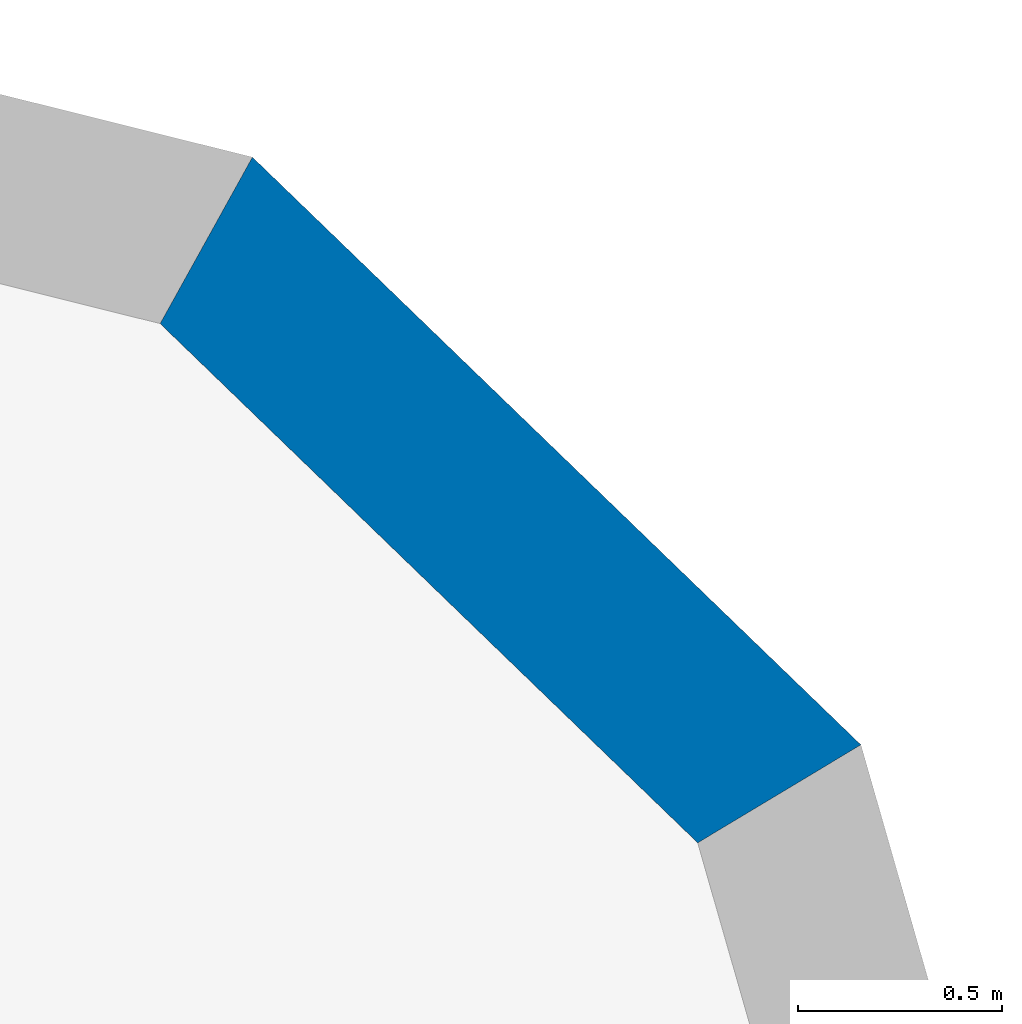
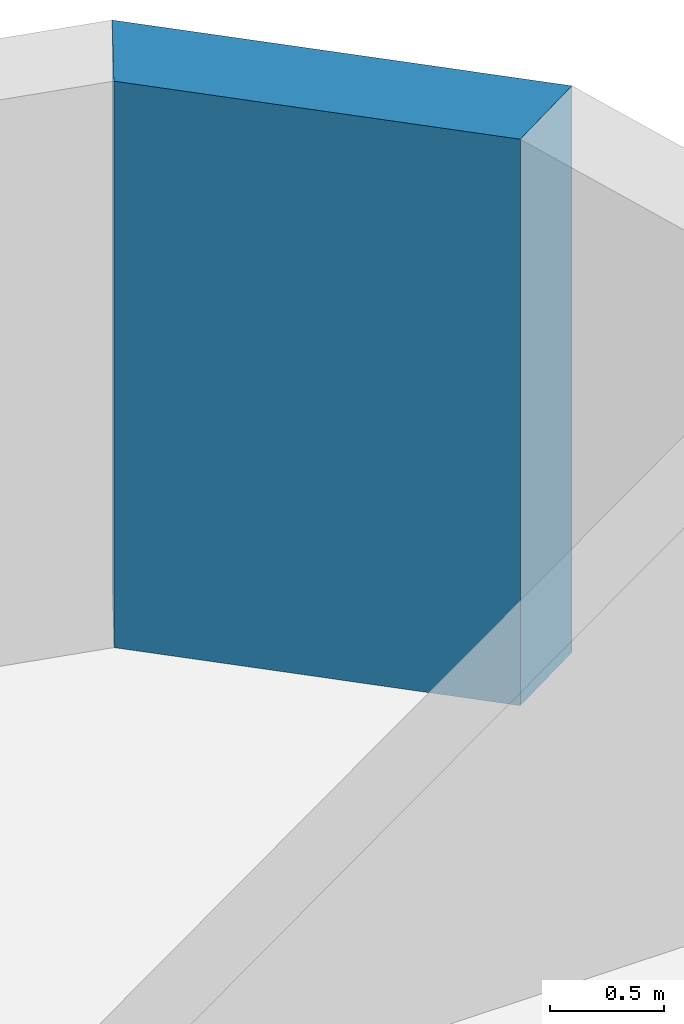
# One storey, part 8 of 12: 1 wall.
"""IFC4 building model written with IfcOpenShell, lengths in metres."""

from ifc_helpers import new_model, si_unit, direction, frame, origin, place, context, subcontext, project, spatial, polyline, outline, extrude, material, layer, layer_set, type_object, element, save


model = new_model("IFC4")

# Units and contexts
model_context = context("Model", 3, precision=1e-05, world=origin(), true_north=direction((0.0, 1.0)))
body_context = subcontext(model_context, "Body", "Model", "MODEL_VIEW")
ifc_project = project(units=[si_unit("LENGTHUNIT", "METRE"), si_unit("AREAUNIT", "SQUARE_METRE"), si_unit("VOLUMEUNIT", "CUBIC_METRE"), si_unit("PLANEANGLEUNIT", "RADIAN"), si_unit("MASSUNIT", "GRAM", prefix="KILO")], contexts=[model_context])

# Site, building, storey
site_placement = place(None, origin())
site = spatial("IfcSite", under=ifc_project, at=site_placement, CompositionType="ELEMENT")
building_placement = place(site_placement, origin())
building = spatial("IfcBuilding", under=site, at=building_placement, Name="Kajstack Hotel Tower", CompositionType="ELEMENT")
storey_placement = place(building_placement, frame((0.0, 0.0, 234.199951171875)))
storey = spatial("IfcBuildingStorey", under=building, at=storey_placement, Name="L57", CompositionType="ELEMENT", Elevation=234.199951171875)

# Wall
ifc_material = material(Name="Terracotta-faced brick masonry", Category="masonry")
ifc_layer = layer(ifc_material, 0.449951171875)
ifc_layer_set = layer_set([ifc_layer], Name="EW-TERRA")
wall_type = type_object("IfcWallType", Name="EW-TERRA", PredefinedType="SOLIDWALL", material=ifc_layer_set)
wall_placement = place(storey_placement, frame((41.97900390625, 19.72412109375, 0.0), z_axis=(0.0, 0.0, 1.0), x_axis=(-0.719379111448, 0.694617660308, 0.0)))
element("IfcWall", 1, at=wall_placement, inside=storey, type_object=wall_type, Name="E-wall-L57-10-00", PredefinedType="SOLIDWALL", context=body_context, shape_type="SweptSolid", body=[
    extrude(outline(polyline([(0.0, -0.224853515625), (2.070556640625, -0.22509765625), (1.949951171875, 0.224853515625), (0.12060546875, 0.22509765625), (0.0, -0.224853515625)])), origin(), (0.0, 0.0, 1.0), 3.02001953125),
])

save(model, "model.ifc")
